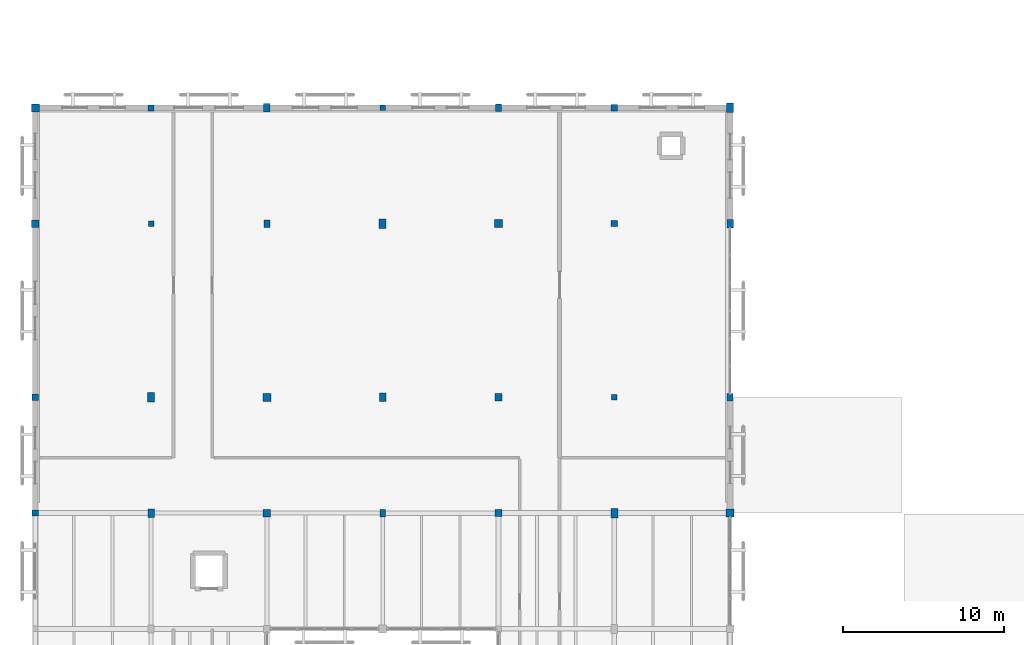
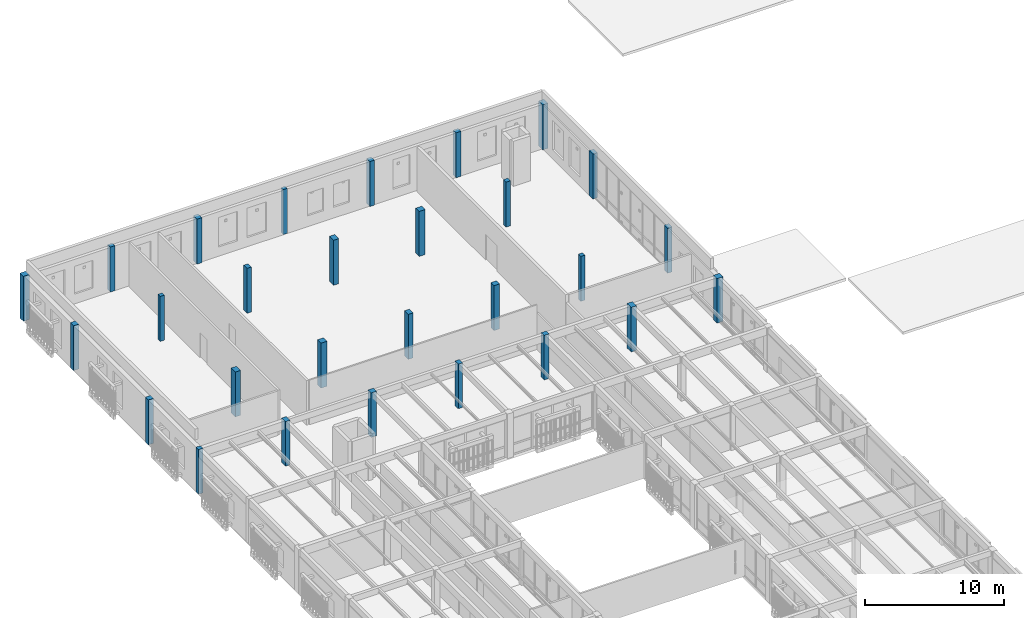
# One storey, part 7 of 112: 28 columns.
"""IFC4 building model written with IfcOpenShell, lengths in metres."""

from ifc_helpers import new_model, si_unit, direction, frame, origin, origin_2d, place, context, subcontext, project, spatial, rectangle, extrude, material, material_profile, profile_set, type_object, element, save


model = new_model("IFC4")

# Units and contexts
model_context = context("Model", 3, precision=1e-05, world=origin(), true_north=direction((0.0, 1.0)))
body_context = subcontext(model_context, "Body", "Model", "MODEL_VIEW")
ifc_project = project(units=[si_unit("LENGTHUNIT", "METRE"), si_unit("AREAUNIT", "SQUARE_METRE"), si_unit("VOLUMEUNIT", "CUBIC_METRE"), si_unit("PLANEANGLEUNIT", "RADIAN"), si_unit("MASSUNIT", "GRAM", prefix="KILO")], contexts=[model_context])

# Site, building, storey
site_placement = place(None, origin())
site = spatial("IfcSite", under=ifc_project, at=site_placement, CompositionType="ELEMENT")
building_placement = place(site_placement, origin())
building = spatial("IfcBuilding", under=site, at=building_placement, Name="Mazaris Harbour Polytechnic", CompositionType="ELEMENT")
storey_placement = place(building_placement, frame((0.0, 0.0, 13.800048828125)))
storey = spatial("IfcBuildingStorey", under=building, at=storey_placement, Name="L03", CompositionType="ELEMENT", Elevation=13.800048828125)

# Columns
ifc_material_1 = material(Name="Glulam GL28h", Category="wood")
ifc_material_profile_1 = material_profile(ifc_material_1, rectangle(XDim=0.340087890625, YDim=0.340087890625, at=origin_2d()), Name="RECT340x340")
ifc_profile_set_1 = profile_set([ifc_material_profile_1], Name="Glulam GL28h")
column_type_1 = type_object("IfcColumnType", Name="Glulam Column 340x340", PredefinedType="COLUMN", material=ifc_profile_set_1)
for number, where, z_axis, x_axis, name in (
    (1, (7.199951171875, 93.60009765625, 0.0), (0.0, 0.0, 1.0), (1.0, 0.0, 0.0), "V4 L03 Column 928"),
    (2, (36.0, 82.800048828125, 0.0), (0.0, 0.0, 1.0), (1.0, 0.0, 0.0), "V4 L03 Column 976"),
):
    element("IfcColumn", number, at=place(storey_placement, frame(where, z_axis=z_axis, x_axis=x_axis)), inside=storey, type_object=column_type_1, Name=name, PredefinedType="COLUMN", context=body_context, shape_type="SweptSolid", body=[
        extrude(rectangle(XDim=0.340087890625, YDim=0.340087890625, at=origin_2d()), origin(), (0.0, 0.0, 1.0), 3.9599609375),
    ])
ifc_material_2 = material(Name="Glulam GL28h", Category="wood")
ifc_material_profile_2 = material_profile(ifc_material_2, rectangle(XDim=0.340087890625, YDim=0.340087890625, at=origin_2d()), Name="RECT340x340")
ifc_profile_set_2 = profile_set([ifc_material_profile_2], Name="Glulam GL28h")
column_type_2 = type_object("IfcColumnType", Name="Glulam Column 340x340 Exterior", PredefinedType="COLUMN", material=ifc_profile_set_2)
column_1_placement = place(storey_placement, frame((21.60009765625, 100.800048828125, 0.0), z_axis=(0.0, 0.0, 1.0), x_axis=(1.0, 0.0, 0.0)))
element("IfcColumn", 3, at=column_1_placement, inside=storey, type_object=column_type_2, Name="V4 L03 Column 952", PredefinedType="COLUMN", context=body_context, shape_type="SweptSolid", body=[
    extrude(rectangle(XDim=0.340087890625, YDim=0.340087890625, at=origin_2d()), origin(), (0.0, 0.0, 1.0), 3.9599609375),
])
ifc_material_3 = material(Name="Glulam GL28h", Category="wood")
ifc_material_profile_3 = material_profile(ifc_material_3, rectangle(XDim=0.360107421875, YDim=0.47998046875, at=origin_2d()), Name="RECT360x480")
ifc_profile_set_3 = profile_set([ifc_material_profile_3], Name="Glulam GL28h")
column_type_3 = type_object("IfcColumnType", Name="Glulam Column 360x480", PredefinedType="COLUMN", material=ifc_profile_set_3)
column_2_placement = place(storey_placement, frame((14.39990234375, 93.60009765625, 0.0), z_axis=(0.0, 0.0, 1.0), x_axis=(1.0, 0.0, 0.0)))
element("IfcColumn", 4, at=column_2_placement, inside=storey, type_object=column_type_3, Name="V4 L03 Column 941", PredefinedType="COLUMN", context=body_context, shape_type="SweptSolid", body=[
    extrude(rectangle(XDim=0.360107421875, YDim=0.47998046875, at=origin_2d()), origin(), (0.0, 0.0, 1.0), 3.9599609375),
])
column_3_placement = place(storey_placement, frame((21.60009765625, 75.60009765625, 0.0), z_axis=(0.0, 0.0, 1.0), x_axis=(1.0, 0.0, 0.0)))
element("IfcColumn", 5, at=column_3_placement, inside=storey, type_object=column_type_3, Name="V4 L03 Column 949", PredefinedType="COLUMN", context=body_context, shape_type="SweptSolid", body=[
    extrude(rectangle(XDim=0.360107421875, YDim=0.47998046875, at=origin_2d()), origin(), (0.0, 0.0, 1.0), 3.919921875),
])
ifc_material_4 = material(Name="Glulam GL28h", Category="wood")
ifc_material_profile_4 = material_profile(ifc_material_4, rectangle(XDim=0.360107421875, YDim=0.47998046875, at=origin_2d()), Name="RECT360x480")
ifc_profile_set_4 = profile_set([ifc_material_profile_4], Name="Glulam GL28h")
column_type_4 = type_object("IfcColumnType", Name="Glulam Column 360x480 Exterior", PredefinedType="COLUMN", material=ifc_profile_set_4)
for number, where, z_axis, x_axis, name in (
    (6, (28.800048828125, 100.800048828125, 0.0), (0.0, 0.0, 1.0), (1.0, 0.0, 0.0), "V4 L03 Column 965"),
    (7, (43.199951171875, 82.800048828125, 0.0), (0.0, 0.0, 1.0), (1.0, 0.0, 0.0), "V4 L03 Column 989"),
):
    element("IfcColumn", number, at=place(storey_placement, frame(where, z_axis=z_axis, x_axis=x_axis)), inside=storey, type_object=column_type_4, Name=name, PredefinedType="COLUMN", context=body_context, shape_type="SweptSolid", body=[
        extrude(rectangle(XDim=0.360107421875, YDim=0.47998046875, at=origin_2d()), origin(), (0.0, 0.0, 1.0), 3.9599609375),
    ])
ifc_material_5 = material(Name="Glulam GL28h", Category="wood")
ifc_material_profile_5 = material_profile(ifc_material_5, rectangle(XDim=0.3798828125, YDim=0.3798828125, at=origin_2d()), Name="RECT380x380")
ifc_profile_set_5 = profile_set([ifc_material_profile_5], Name="Glulam GL28h")
column_type_5 = type_object("IfcColumnType", Name="Glulam Column 380x380", PredefinedType="COLUMN", material=ifc_profile_set_5)
column_4_placement = place(storey_placement, frame((36.0, 93.60009765625, 0.0), z_axis=(0.0, 0.0, 1.0), x_axis=(1.0, 0.0, 0.0)))
element("IfcColumn", 8, at=column_4_placement, inside=storey, type_object=column_type_5, Name="V4 L03 Column 977", PredefinedType="COLUMN", context=body_context, shape_type="SweptSolid", body=[
    extrude(rectangle(XDim=0.3798828125, YDim=0.3798828125, at=origin_2d()), origin(), (0.0, 0.0, 1.0), 3.9599609375),
])
ifc_material_6 = material(Name="Glulam GL28h", Category="wood")
ifc_material_profile_6 = material_profile(ifc_material_6, rectangle(XDim=0.3798828125, YDim=0.3798828125, at=origin_2d()), Name="RECT380x380")
ifc_profile_set_6 = profile_set([ifc_material_profile_6], Name="Glulam GL28h")
column_type_6 = type_object("IfcColumnType", Name="Glulam Column 380x380 Exterior", PredefinedType="COLUMN", material=ifc_profile_set_6)
column_5_placement = place(storey_placement, frame((0.0, 75.60009765625, 0.0), z_axis=(0.0, 0.0, 1.0), x_axis=(1.0, 0.0, 0.0)))
element("IfcColumn", 9, at=column_5_placement, inside=storey, type_object=column_type_6, Name="V4 L03 Column 913", PredefinedType="COLUMN", context=body_context, shape_type="SweptSolid", body=[
    extrude(rectangle(XDim=0.3798828125, YDim=0.3798828125, at=origin_2d()), origin(), (0.0, 0.0, 1.0), 3.919921875),
])
column_6_placement = place(storey_placement, frame((7.199951171875, 100.800048828125, 0.0), z_axis=(0.0, 0.0, 1.0), x_axis=(1.0, 0.0, 0.0)))
element("IfcColumn", 10, at=column_6_placement, inside=storey, type_object=column_type_6, Name="V4 L03 Column 929", PredefinedType="COLUMN", context=body_context, shape_type="SweptSolid", body=[
    extrude(rectangle(XDim=0.3798828125, YDim=0.3798828125, at=origin_2d()), origin(), (0.0, 0.0, 1.0), 3.9599609375),
])
ifc_material_7 = material(Name="Glulam GL28h", Category="wood")
ifc_material_profile_7 = material_profile(ifc_material_7, rectangle(XDim=0.39990234375, YDim=0.5400390625, at=origin_2d()), Name="RECT400x540")
ifc_profile_set_7 = profile_set([ifc_material_profile_7], Name="Glulam GL28h")
column_type_7 = type_object("IfcColumnType", Name="Glulam Column 400x540", PredefinedType="COLUMN", material=ifc_profile_set_7)
column_7_placement = place(storey_placement, frame((7.199951171875, 75.60009765625, 0.0), z_axis=(0.0, 0.0, 1.0), x_axis=(1.0, 0.0, 0.0)))
element("IfcColumn", 11, at=column_7_placement, inside=storey, type_object=column_type_7, Name="V4 L03 Column 926", PredefinedType="COLUMN", context=body_context, shape_type="SweptSolid", body=[
    extrude(rectangle(XDim=0.39990234375, YDim=0.5400390625, at=origin_2d()), origin(), (0.0, 0.0, 1.0), 3.919921875),
])
column_8_placement = place(storey_placement, frame((21.60009765625, 82.800048828125, 0.0), z_axis=(0.0, 0.0, 1.0), x_axis=(1.0, 0.0, 0.0)))
element("IfcColumn", 12, at=column_8_placement, inside=storey, type_object=column_type_7, Name="V4 L03 Column 950", PredefinedType="COLUMN", context=body_context, shape_type="SweptSolid", body=[
    extrude(rectangle(XDim=0.39990234375, YDim=0.5400390625, at=origin_2d()), origin(), (0.0, 0.0, 1.0), 3.9599609375),
])
ifc_material_8 = material(Name="Glulam GL28h", Category="wood")
ifc_material_profile_8 = material_profile(ifc_material_8, rectangle(XDim=0.39990234375, YDim=0.5400390625, at=origin_2d()), Name="RECT400x540")
ifc_profile_set_8 = profile_set([ifc_material_profile_8], Name="Glulam GL28h")
column_type_8 = type_object("IfcColumnType", Name="Glulam Column 400x540 Exterior", PredefinedType="COLUMN", material=ifc_profile_set_8)
for number, where, z_axis, x_axis, name in (
    (13, (14.39990234375, 100.800048828125, 0.0), (0.0, 0.0, 1.0), (1.0, 0.0, 0.0), "V4 L03 Column 942"),
    (14, (43.199951171875, 93.60009765625, 0.0), (0.0, 0.0, 1.0), (1.0, 0.0, 0.0), "V4 L03 Column 990"),
):
    element("IfcColumn", number, at=place(storey_placement, frame(where, z_axis=z_axis, x_axis=x_axis)), inside=storey, type_object=column_type_8, Name=name, PredefinedType="COLUMN", context=body_context, shape_type="SweptSolid", body=[
        extrude(rectangle(XDim=0.39990234375, YDim=0.5400390625, at=origin_2d()), origin(), (0.0, 0.0, 1.0), 3.9599609375),
    ])
ifc_material_9 = material(Name="Glulam GL28h", Category="wood")
ifc_material_profile_9 = material_profile(ifc_material_9, rectangle(XDim=0.419921875, YDim=0.419921875, at=origin_2d()), Name="RECT420x420")
ifc_profile_set_9 = profile_set([ifc_material_profile_9], Name="Glulam GL28h")
column_type_9 = type_object("IfcColumnType", Name="Glulam Column 420x420", PredefinedType="COLUMN", material=ifc_profile_set_9)
column_9_placement = place(storey_placement, frame((28.800048828125, 75.60009765625, 0.0), z_axis=(0.0, 0.0, 1.0), x_axis=(1.0, 0.0, 0.0)))
element("IfcColumn", 15, at=column_9_placement, inside=storey, type_object=column_type_9, Name="V4 L03 Column 962", PredefinedType="COLUMN", context=body_context, shape_type="SweptSolid", body=[
    extrude(rectangle(XDim=0.419921875, YDim=0.419921875, at=origin_2d()), origin(), (0.0, 0.0, 1.0), 3.919921875),
])
ifc_material_10 = material(Name="Glulam GL28h", Category="wood")
ifc_material_profile_10 = material_profile(ifc_material_10, rectangle(XDim=0.419921875, YDim=0.419921875, at=origin_2d()), Name="RECT420x420")
ifc_profile_set_10 = profile_set([ifc_material_profile_10], Name="Glulam GL28h")
column_type_10 = type_object("IfcColumnType", Name="Glulam Column 420x420 Exterior", PredefinedType="COLUMN", material=ifc_profile_set_10)
for number, where, z_axis, x_axis, name in (
    (16, (0.0, 82.800048828125, 0.0), (0.0, 0.0, 1.0), (1.0, 0.0, 0.0), "V4 L03 Column 914"),
    (17, (36.0, 100.800048828125, 0.0), (0.0, 0.0, 1.0), (1.0, 0.0, 0.0), "V4 L03 Column 978"),
):
    element("IfcColumn", number, at=place(storey_placement, frame(where, z_axis=z_axis, x_axis=x_axis)), inside=storey, type_object=column_type_10, Name=name, PredefinedType="COLUMN", context=body_context, shape_type="SweptSolid", body=[
        extrude(rectangle(XDim=0.419921875, YDim=0.419921875, at=origin_2d()), origin(), (0.0, 0.0, 1.0), 3.9599609375),
    ])
ifc_material_11 = material(Name="Glulam GL28h", Category="wood")
ifc_material_profile_11 = material_profile(ifc_material_11, rectangle(XDim=0.43994140625, YDim=0.60009765625, at=origin_2d()), Name="RECT440x600")
ifc_profile_set_11 = profile_set([ifc_material_profile_11], Name="Glulam GL28h")
column_type_11 = type_object("IfcColumnType", Name="Glulam Column 440x600", PredefinedType="COLUMN", material=ifc_profile_set_11)
for number, where, z_axis, x_axis, name in (
    (18, (7.199951171875, 82.800048828125, 0.0), (0.0, 0.0, 1.0), (1.0, 0.0, 0.0), "V4 L03 Column 927"),
    (19, (21.60009765625, 93.60009765625, 0.0), (0.0, 0.0, 1.0), (1.0, 0.0, 0.0), "V4 L03 Column 951"),
):
    element("IfcColumn", number, at=place(storey_placement, frame(where, z_axis=z_axis, x_axis=x_axis)), inside=storey, type_object=column_type_11, Name=name, PredefinedType="COLUMN", context=body_context, shape_type="SweptSolid", body=[
        extrude(rectangle(XDim=0.43994140625, YDim=0.60009765625, at=origin_2d()), origin(), (0.0, 0.0, 1.0), 3.9599609375),
    ])
column_10_placement = place(storey_placement, frame((36.0, 75.60009765625, 0.0), z_axis=(0.0, 0.0, 1.0), x_axis=(1.0, 0.0, 0.0)))
element("IfcColumn", 20, at=column_10_placement, inside=storey, type_object=column_type_11, Name="V4 L03 Column 975", PredefinedType="COLUMN", context=body_context, shape_type="SweptSolid", body=[
    extrude(rectangle(XDim=0.43994140625, YDim=0.60009765625, at=origin_2d()), origin(), (0.0, 0.0, 1.0), 3.919921875),
])
ifc_material_12 = material(Name="Glulam GL28h", Category="wood")
ifc_material_profile_12 = material_profile(ifc_material_12, rectangle(XDim=0.43994140625, YDim=0.60009765625, at=origin_2d()), Name="RECT440x600")
ifc_profile_set_12 = profile_set([ifc_material_profile_12], Name="Glulam GL28h")
column_type_12 = type_object("IfcColumnType", Name="Glulam Column 440x600 Exterior", PredefinedType="COLUMN", material=ifc_profile_set_12)
column_11_placement = place(storey_placement, frame((43.199951171875, 100.800048828125, 0.0), z_axis=(0.0, 0.0, 1.0), x_axis=(1.0, 0.0, 0.0)))
element("IfcColumn", 21, at=column_11_placement, inside=storey, type_object=column_type_12, Name="V4 L03 Column 991", PredefinedType="COLUMN", context=body_context, shape_type="SweptSolid", body=[
    extrude(rectangle(XDim=0.43994140625, YDim=0.60009765625, at=origin_2d()), origin(), (0.0, 0.0, 1.0), 3.9599609375),
])
ifc_material_13 = material(Name="Glulam GL28h", Category="wood")
ifc_material_profile_13 = material_profile(ifc_material_13, rectangle(XDim=0.4599609375, YDim=0.4599609375, at=origin_2d()), Name="RECT460x460")
ifc_profile_set_13 = profile_set([ifc_material_profile_13], Name="Glulam GL28h")
column_type_13 = type_object("IfcColumnType", Name="Glulam Column 460x460", PredefinedType="COLUMN", material=ifc_profile_set_13)
column_12_placement = place(storey_placement, frame((14.39990234375, 75.60009765625, 0.0), z_axis=(0.0, 0.0, 1.0), x_axis=(1.0, 0.0, 0.0)))
element("IfcColumn", 22, at=column_12_placement, inside=storey, type_object=column_type_13, Name="V4 L03 Column 939", PredefinedType="COLUMN", context=body_context, shape_type="SweptSolid", body=[
    extrude(rectangle(XDim=0.4599609375, YDim=0.4599609375, at=origin_2d()), origin(), (0.0, 0.0, 1.0), 3.919921875),
])
column_13_placement = place(storey_placement, frame((28.800048828125, 82.800048828125, 0.0), z_axis=(0.0, 0.0, 1.0), x_axis=(1.0, 0.0, 0.0)))
element("IfcColumn", 23, at=column_13_placement, inside=storey, type_object=column_type_13, Name="V4 L03 Column 963", PredefinedType="COLUMN", context=body_context, shape_type="SweptSolid", body=[
    extrude(rectangle(XDim=0.4599609375, YDim=0.4599609375, at=origin_2d()), origin(), (0.0, 0.0, 1.0), 3.9599609375),
])
ifc_material_14 = material(Name="Glulam GL28h", Category="wood")
ifc_material_profile_14 = material_profile(ifc_material_14, rectangle(XDim=0.4599609375, YDim=0.4599609375, at=origin_2d()), Name="RECT460x460")
ifc_profile_set_14 = profile_set([ifc_material_profile_14], Name="Glulam GL28h")
column_type_14 = type_object("IfcColumnType", Name="Glulam Column 460x460 Exterior", PredefinedType="COLUMN", material=ifc_profile_set_14)
column_14_placement = place(storey_placement, frame((0.0, 93.60009765625, 0.0), z_axis=(0.0, 0.0, 1.0), x_axis=(1.0, 0.0, 0.0)))
element("IfcColumn", 24, at=column_14_placement, inside=storey, type_object=column_type_14, Name="V4 L03 Column 915", PredefinedType="COLUMN", context=body_context, shape_type="SweptSolid", body=[
    extrude(rectangle(XDim=0.4599609375, YDim=0.4599609375, at=origin_2d()), origin(), (0.0, 0.0, 1.0), 3.9599609375),
])
ifc_material_15 = material(Name="Glulam GL28h", Category="wood")
ifc_material_profile_15 = material_profile(ifc_material_15, rectangle(XDim=0.5, YDim=0.5, at=origin_2d()), Name="RECT500x500")
ifc_profile_set_15 = profile_set([ifc_material_profile_15], Name="Glulam GL28h")
column_type_15 = type_object("IfcColumnType", Name="Glulam Column 500x500", PredefinedType="COLUMN", material=ifc_profile_set_15)
for number, where, z_axis, x_axis, name in (
    (25, (14.39990234375, 82.800048828125, 0.0), (0.0, 0.0, 1.0), (1.0, 0.0, 0.0), "V4 L03 Column 940"),
    (26, (28.800048828125, 93.60009765625, 0.0), (0.0, 0.0, 1.0), (1.0, 0.0, 0.0), "V4 L03 Column 964"),
):
    element("IfcColumn", number, at=place(storey_placement, frame(where, z_axis=z_axis, x_axis=x_axis)), inside=storey, type_object=column_type_15, Name=name, PredefinedType="COLUMN", context=body_context, shape_type="SweptSolid", body=[
        extrude(rectangle(XDim=0.5, YDim=0.5, at=origin_2d()), origin(), (0.0, 0.0, 1.0), 3.9599609375),
    ])
ifc_material_16 = material(Name="Glulam GL28h", Category="wood")
ifc_material_profile_16 = material_profile(ifc_material_16, rectangle(XDim=0.5, YDim=0.5, at=origin_2d()), Name="RECT500x500")
ifc_profile_set_16 = profile_set([ifc_material_profile_16], Name="Glulam GL28h")
column_type_16 = type_object("IfcColumnType", Name="Glulam Column 500x500 Exterior", PredefinedType="COLUMN", material=ifc_profile_set_16)
column_15_placement = place(storey_placement, frame((0.0, 100.800048828125, 0.0), z_axis=(0.0, 0.0, 1.0), x_axis=(1.0, 0.0, 0.0)))
element("IfcColumn", 27, at=column_15_placement, inside=storey, type_object=column_type_16, Name="V4 L03 Column 916", PredefinedType="COLUMN", context=body_context, shape_type="SweptSolid", body=[
    extrude(rectangle(XDim=0.5, YDim=0.5, at=origin_2d()), origin(), (0.0, 0.0, 1.0), 3.9599609375),
])
column_16_placement = place(storey_placement, frame((43.199951171875, 75.60009765625, 0.0), z_axis=(0.0, 0.0, 1.0), x_axis=(1.0, 0.0, 0.0)))
element("IfcColumn", 28, at=column_16_placement, inside=storey, type_object=column_type_16, Name="V4 L03 Column 988", PredefinedType="COLUMN", context=body_context, shape_type="SweptSolid", body=[
    extrude(rectangle(XDim=0.5, YDim=0.5, at=origin_2d()), origin(), (0.0, 0.0, 1.0), 3.919921875),
])

save(model, "model.ifc")
